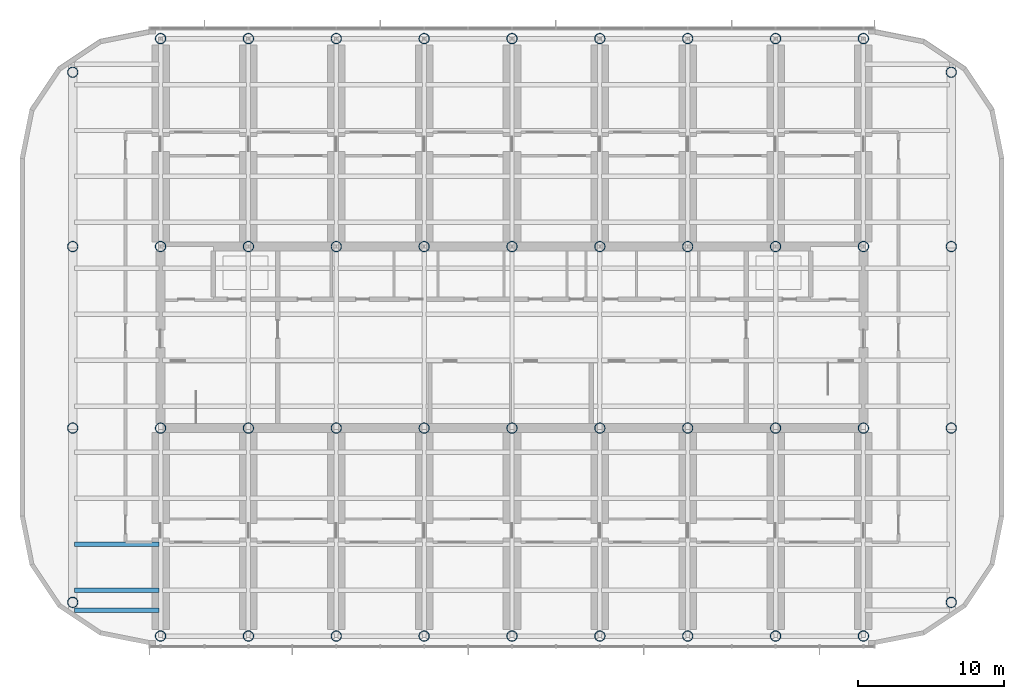
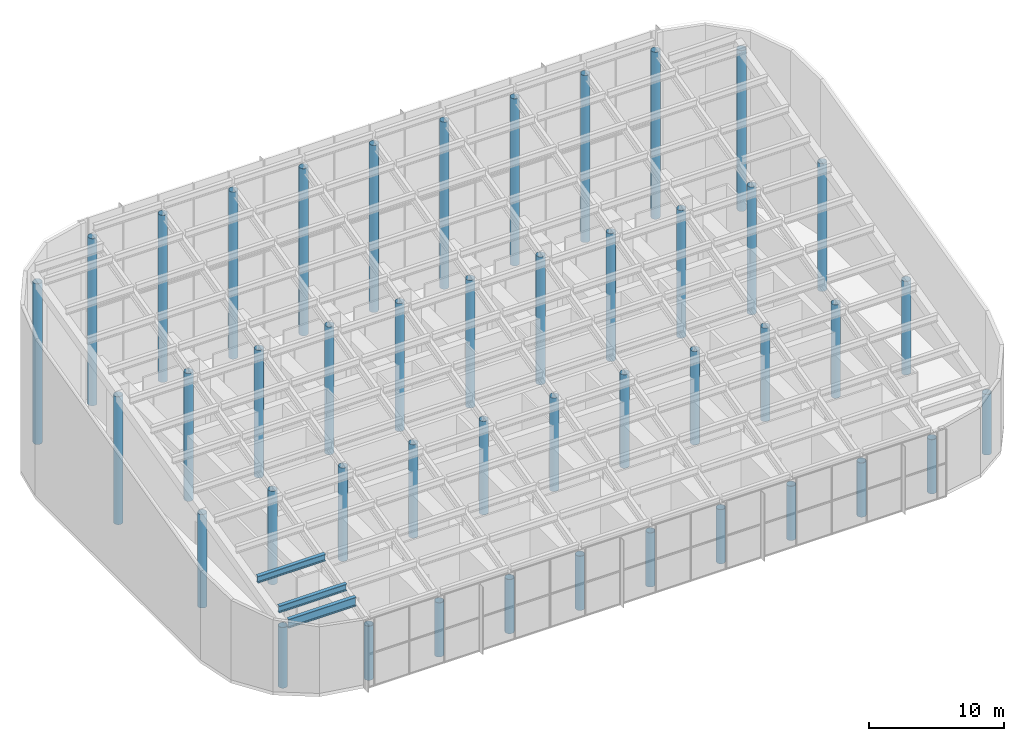
# One storey, part 1 of 14: 44 columns, 3 members.
"""IFC4 building model written with IfcOpenShell, lengths in metres."""

import ifcopenshell
import ifcopenshell.guid

model = None  # the IFC model being written
_history = None  # IfcOwnerHistory: only IFC2X3 demands one
_inside = {}  # id of a spatial element -> (the spatial element, [elements in it])
_under = {}  # id of a project, library or spatial element -> (it, [spatial elements below it])
_declared = {}  # id of a project -> (the project, [libraries it declares])
_typed = {}  # id of a type object -> (the type object, [elements of that type])
_made_of = {}  # id of a material, layer set ... -> (it, [elements and type objects made of it])


def new_model(schema):
    """Start an empty IFC model of exactly this schema.

    Asked for "IFC4X3", IfcOpenShell would pick the latest addendum, in which some entities
    have other attributes; the version numbers below select the first issue.
    IFC2X3 requires an IfcOwnerHistory on every rooted entity: one is made here for all.
    """
    global model, _history
    if schema == "IFC4X3":
        model = ifcopenshell.file(schema_version=(4, 3, 0, 0))
    else:
        model = ifcopenshell.file(schema=schema)
    _inside.clear()
    _under.clear()
    _declared.clear()
    _typed.clear()
    _made_of.clear()
    _history = None
    if model.schema == "IFC2X3":
        org = make("IfcOrganization", Name="unknown")
        user = make(
            "IfcPersonAndOrganization",
            ThePerson=make("IfcPerson", FamilyName="unknown"),
            TheOrganization=org,
        )
        app = make(
            "IfcApplication",
            ApplicationDeveloper=org,
            Version="unknown",
            ApplicationFullName="unknown",
            ApplicationIdentifier="unknown",
        )
        _history = make(
            "IfcOwnerHistory",
            OwningUser=user,
            OwningApplication=app,
            ChangeAction="ADDED",
            CreationDate=0,
        )
    return model


def make(cls, **values):
    """One entity of the class cls with the attributes given. An attribute that is None is left unset."""
    return model.create_entity(
        cls, **{name: value for name, value in values.items() if value is not None}
    )


def rooted(cls, **values):
    """An entity with a GlobalId (a new one), such as an element, a storey or a relation."""
    return make(cls, GlobalId=ifcopenshell.guid.new(), OwnerHistory=_history, **values)


def si_unit(unit_type, name, prefix=None):
    """IfcSIUnit, for example si_unit("LENGTHUNIT", "METRE", prefix="MILLI")."""
    return make("IfcSIUnit", UnitType=unit_type, Prefix=prefix, Name=name)


def assignment(units):
    """IfcUnitAssignment: the units of a project."""
    return None if units is None else make("IfcUnitAssignment", Units=units)


def point(xyz):
    """IfcCartesianPoint."""
    return None if xyz is None else make("IfcCartesianPoint", Coordinates=xyz)


def direction(xyz):
    """IfcDirection."""
    return None if xyz is None else make("IfcDirection", DirectionRatios=xyz)


def frame(location, z_axis=None, x_axis=None):
    """IfcAxis2Placement3D, a coordinate frame: its origin and axes. An axis left out is left unset."""
    return make(
        "IfcAxis2Placement3D",
        Location=point(location),
        Axis=direction(z_axis),
        RefDirection=direction(x_axis),
    )


def frame_2d(location, x_axis=None):
    """IfcAxis2Placement2D, a coordinate frame in the plane: its origin and x axis."""
    return make(
        "IfcAxis2Placement2D", Location=point(location), RefDirection=direction(x_axis)
    )


def origin():
    """The frame at (0, 0, 0) with its axes left unset."""
    return frame((0.0, 0.0, 0.0))


def origin_2d():
    """The frame at (0, 0) in the plane with its x axis left unset."""
    return frame_2d((0.0, 0.0))


def place(relative_to, where):
    """IfcLocalPlacement: puts the frame where relative to a parent placement (None: the world)."""
    return make(
        "IfcLocalPlacement", PlacementRelTo=relative_to, RelativePlacement=where
    )


def context(
    kind, dimensions, precision=None, world=None, true_north=None, identifier=None
):
    """IfcGeometricRepresentationContext, for example the 3D "Model" context."""
    return make(
        "IfcGeometricRepresentationContext",
        ContextIdentifier=identifier,
        ContextType=kind,
        CoordinateSpaceDimension=dimensions,
        Precision=precision,
        WorldCoordinateSystem=world,
        TrueNorth=true_north,
    )


def subcontext(parent, identifier, kind, view, scale=None):
    """IfcGeometricRepresentationSubContext, for example "Body" below "Model"."""
    return make(
        "IfcGeometricRepresentationSubContext",
        ContextIdentifier=identifier,
        ContextType=kind,
        ParentContext=parent,
        TargetScale=scale,
        TargetView=view,
    )


def project(units=None, contexts=None):
    """IfcProject with its units and contexts."""
    return rooted(
        "IfcProject",
        Name="project",
        RepresentationContexts=contexts,
        UnitsInContext=assignment(units),
    )


def spatial(cls, under=None, at=None, **own):
    """A site, building, storey or space (cls), placed at a placement, below another one or the project."""
    s = rooted(cls, ObjectPlacement=at, **own)
    if under is not None:
        _under.setdefault(under.id(), (under, []))[1].append(s)
    return s


def profile(cls, at=None, kind="AREA", **sizes):
    """A parametric profile (cls). Its sizes go by their IFC names, for example OverallWidth=200.0."""
    return make(cls, ProfileType=kind, Position=at, **sizes)


def hollow_circle(**sizes):
    """IfcCircleHollowProfileDef."""
    return profile("IfcCircleHollowProfileDef", **sizes)


def i_section(**sizes):
    """IfcIShapeProfileDef."""
    return profile("IfcIShapeProfileDef", **sizes)


def extrude(swept, where, along, depth):
    """IfcExtrudedAreaSolid: the profile swept, set in the frame where, extruded along a direction by depth."""
    return make(
        "IfcExtrudedAreaSolid",
        SweptArea=swept,
        Position=where,
        ExtrudedDirection=direction(along),
        Depth=depth,
    )


def shape(context_of_items, identifier, shape_type, items):
    """IfcShapeRepresentation: the items that make up one representation, for example the "Body"."""
    return make(
        "IfcShapeRepresentation",
        ContextOfItems=context_of_items,
        RepresentationIdentifier=identifier,
        RepresentationType=shape_type,
        Items=items,
    )


def material(Name=None, Category=None):
    """IfcMaterial."""
    return make("IfcMaterial", Name=Name, Category=Category)


def material_profile(
    of_material, cross_section, Name=None, Category=None, Priority=None
):
    """IfcMaterialProfile: a cross section and its material."""
    return make(
        "IfcMaterialProfile",
        Name=Name,
        Material=of_material,
        Profile=cross_section,
        Priority=Priority,
        Category=Category,
    )


def profile_set(profiles, Name=None, composite=None):
    """IfcMaterialProfileSet."""
    return make(
        "IfcMaterialProfileSet",
        Name=Name,
        MaterialProfiles=profiles,
        CompositeProfile=composite,
    )


def made_of(thing, what):
    """Note that an element or type object is made of a material, layer set ...; save() writes the relation."""
    if what is not None:
        _made_of.setdefault(what.id(), (what, []))[1].append(thing)
    return thing


def type_object(cls, material=None, **own):
    """A type object (cls), such as IfcWallType, which elements share."""
    return made_of(rooted(cls, **own), material)


def element(
    cls,
    number,
    at=None,
    inside=None,
    cuts=None,
    type_object=None,
    material=None,
    context=None,
    identifier="Body",
    shape_type=None,
    held_by="IfcProductDefinitionShape",
    body=None,
    shapes=None,
    **own,
):
    """One element of the class cls, such as IfcWall. Its Tag is "e" and its number.

    at: its placement. inside: the storey or other place that contains it. cuts: it is an
    opening in that element (IfcRelVoidsElement). A single representation is given by context,
    identifier, shape_type and body (its items); several are given by shapes. held_by: the class
    of the entity that holds the representations. save() writes the other relations.
    """
    e = rooted(cls, Tag="e%d" % number, ObjectPlacement=at, **own)
    if body is not None:
        shapes = [shape(context, identifier, shape_type, body)]
    if shapes is not None:
        e.Representation = make(held_by, Representations=shapes)
    if inside is not None:
        _inside.setdefault(inside.id(), (inside, []))[1].append(e)
    if cuts is not None:
        rooted(
            "IfcRelVoidsElement", RelatingBuildingElement=cuts, RelatedOpeningElement=e
        )
    if type_object is not None:
        _typed.setdefault(type_object.id(), (type_object, []))[1].append(e)
    return made_of(e, material)


def aggregate(whole, parts):
    """IfcRelAggregates: a whole, such as a stair, and the parts it consists of."""
    return rooted("IfcRelAggregates", RelatingObject=whole, RelatedObjects=parts)


def save(model, path):
    """Write the relations noted so far, then the file.

    IfcRelAggregates (storeys below a building ...), IfcRelContainedInSpatialStructure (elements
    in a storey), IfcRelDefinesByType, IfcRelAssociatesMaterial and IfcRelDeclares: one each for
    every whole, place, type object, material and project.
    """
    for whole, parts in _under.values():
        aggregate(whole, parts)
    for where, things in _inside.values():
        rooted(
            "IfcRelContainedInSpatialStructure",
            RelatedElements=things,
            RelatingStructure=where,
        )
    for kind, things in _typed.values():
        rooted("IfcRelDefinesByType", RelatedObjects=things, RelatingType=kind)
    for what, things in _made_of.values():
        rooted("IfcRelAssociatesMaterial", RelatedObjects=things, RelatingMaterial=what)
    for by, libraries in _declared.values():
        rooted("IfcRelDeclares", RelatingContext=by, RelatedDefinitions=libraries)
    model.write(path)


model = new_model("IFC4")

# Units and contexts
model_context = context("Model", 3, precision=1e-05, world=origin(), true_north=direction((0.0, 1.0)))
body_context = subcontext(model_context, "Body", "Model", "MODEL_VIEW")
ifc_project = project(units=[si_unit("LENGTHUNIT", "METRE"), si_unit("AREAUNIT", "SQUARE_METRE"), si_unit("VOLUMEUNIT", "CUBIC_METRE"), si_unit("PLANEANGLEUNIT", "RADIAN"), si_unit("MASSUNIT", "GRAM", prefix="KILO")], contexts=[model_context])

# Site, building, storey
site_placement = place(None, origin())
site = spatial("IfcSite", under=ifc_project, at=site_placement, CompositionType="ELEMENT")
building_placement = place(site_placement, origin())
building = spatial("IfcBuilding", under=site, at=building_placement, Name="Orbita Commons", CompositionType="ELEMENT")
storey_placement = place(building_placement, frame((0.0, 0.0, 262.300048828125)))
storey = spatial("IfcBuildingStorey", under=building, at=storey_placement, Name="L65", CompositionType="ELEMENT", Elevation=262.300048828125)

# Columns
ifc_material_1 = material(Name="Steel ASTM A992", Category="steel")
ifc_material_profile_1 = material_profile(ifc_material_1, hollow_circle(Radius=0.35546875, WallThickness=0.02490234375, at=origin_2d()), Name="CHS 711x25")
ifc_profile_set_1 = profile_set([ifc_material_profile_1], Name="Steel ASTM A992")
column_type = type_object("IfcColumnType", Name="Crown post CHS 711x25", PredefinedType="COLUMN", material=ifc_profile_set_1)
column_1_placement = place(storey_placement, frame((12.0, 13.89990234375, 0.0), z_axis=(0.0, 0.0, 1.0), x_axis=(1.0, 0.0, 0.0)))
element("IfcColumn", 1, at=column_1_placement, inside=storey, type_object=column_type, Name="Crown post 3/B", PredefinedType="COLUMN", context=body_context, shape_type="SweptSolid", body=[
    extrude(hollow_circle(Radius=0.35546875, WallThickness=0.02490234375, at=origin_2d()), origin(), (0.0, 0.0, 1.0), 5.465576171875),
])
column_2_placement = place(storey_placement, frame((12.0, 25.800048828125, 0.0), z_axis=(0.0, 0.0, 1.0), x_axis=(1.0, 0.0, 0.0)))
element("IfcColumn", 2, at=column_2_placement, inside=storey, type_object=column_type, Name="Crown post 3/C", PredefinedType="COLUMN", context=body_context, shape_type="SweptSolid", body=[
    extrude(hollow_circle(Radius=0.35546875, WallThickness=0.02490234375, at=origin_2d()), origin(), (0.0, 0.0, 1.0), 8.4326171875),
])
column_3_placement = place(storey_placement, frame((12.0, 38.199951171875, 0.0), z_axis=(0.0, 0.0, 1.0), x_axis=(1.0, 0.0, 0.0)))
element("IfcColumn", 3, at=column_3_placement, inside=storey, type_object=column_type, Name="Crown post 3/D", PredefinedType="COLUMN", context=body_context, shape_type="SweptSolid", body=[
    extrude(hollow_circle(Radius=0.35546875, WallThickness=0.02490234375, at=origin_2d()), origin(), (0.0, 0.0, 1.0), 11.5244140625),
])
column_4_placement = place(storey_placement, frame((12.0, 50.10009765625, 0.0), z_axis=(0.0, 0.0, 1.0), x_axis=(1.0, 0.0, 0.0)))
element("IfcColumn", 4, at=column_4_placement, inside=storey, type_object=column_type, Name="Crown post 3/E", PredefinedType="COLUMN", context=body_context, shape_type="SweptSolid", body=[
    extrude(hollow_circle(Radius=0.35546875, WallThickness=0.02490234375, at=origin_2d()), origin(), (0.0, 0.0, 1.0), 14.4912109375),
])
column_5_placement = place(storey_placement, frame((18.0, 11.60009765625, 0.0), z_axis=(0.0, 0.0, 1.0), x_axis=(1.0, 0.0, 0.0)))
element("IfcColumn", 5, at=column_5_placement, inside=storey, type_object=column_type, Name="Crown post 4/B", PredefinedType="COLUMN", context=body_context, shape_type="SweptSolid", body=[
    extrude(hollow_circle(Radius=0.35546875, WallThickness=0.02490234375, at=origin_2d()), origin(), (0.0, 0.0, 1.0), 4.885009765625),
])
column_6_placement = place(storey_placement, frame((18.0, 25.800048828125, 0.0), z_axis=(0.0, 0.0, 1.0), x_axis=(1.0, 0.0, 0.0)))
element("IfcColumn", 6, at=column_6_placement, inside=storey, type_object=column_type, Name="Crown post 4/C", PredefinedType="COLUMN", context=body_context, shape_type="SweptSolid", body=[
    extrude(hollow_circle(Radius=0.35546875, WallThickness=0.02490234375, at=origin_2d()), origin(), (0.0, 0.0, 1.0), 8.425537109375),
])
column_7_placement = place(storey_placement, frame((18.0, 38.199951171875, 0.0), z_axis=(0.0, 0.0, 1.0), x_axis=(1.0, 0.0, 0.0)))
element("IfcColumn", 7, at=column_7_placement, inside=storey, type_object=column_type, Name="Crown post 4/D", PredefinedType="COLUMN", context=body_context, shape_type="SweptSolid", body=[
    extrude(hollow_circle(Radius=0.35546875, WallThickness=0.02490234375, at=origin_2d()), origin(), (0.0, 0.0, 1.0), 11.51708984375),
])
column_8_placement = place(storey_placement, frame((18.0, 52.39990234375, 0.0), z_axis=(0.0, 0.0, 1.0), x_axis=(1.0, 0.0, 0.0)))
element("IfcColumn", 8, at=column_8_placement, inside=storey, type_object=column_type, Name="Crown post 4/E", PredefinedType="COLUMN", context=body_context, shape_type="SweptSolid", body=[
    extrude(hollow_circle(Radius=0.35546875, WallThickness=0.02490234375, at=origin_2d()), origin(), (0.0, 0.0, 1.0), 15.0576171875),
])
column_9_placement = place(storey_placement, frame((24.0, 11.60009765625, 0.0), z_axis=(0.0, 0.0, 1.0), x_axis=(1.0, 0.0, 0.0)))
element("IfcColumn", 9, at=column_9_placement, inside=storey, type_object=column_type, Name="Crown post 5/B", PredefinedType="COLUMN", context=body_context, shape_type="SweptSolid", body=[
    extrude(hollow_circle(Radius=0.35546875, WallThickness=0.02490234375, at=origin_2d()), origin(), (0.0, 0.0, 1.0), 4.885009765625),
])
column_10_placement = place(storey_placement, frame((24.0, 25.800048828125, 0.0), z_axis=(0.0, 0.0, 1.0), x_axis=(1.0, 0.0, 0.0)))
element("IfcColumn", 10, at=column_10_placement, inside=storey, type_object=column_type, Name="Crown post 5/C", PredefinedType="COLUMN", context=body_context, shape_type="SweptSolid", body=[
    extrude(hollow_circle(Radius=0.35546875, WallThickness=0.02490234375, at=origin_2d()), origin(), (0.0, 0.0, 1.0), 8.425537109375),
])
column_11_placement = place(storey_placement, frame((24.0, 38.199951171875, 0.0), z_axis=(0.0, 0.0, 1.0), x_axis=(1.0, 0.0, 0.0)))
element("IfcColumn", 11, at=column_11_placement, inside=storey, type_object=column_type, Name="Crown post 5/D", PredefinedType="COLUMN", context=body_context, shape_type="SweptSolid", body=[
    extrude(hollow_circle(Radius=0.35546875, WallThickness=0.02490234375, at=origin_2d()), origin(), (0.0, 0.0, 1.0), 11.51708984375),
])
column_12_placement = place(storey_placement, frame((24.0, 52.39990234375, 0.0), z_axis=(0.0, 0.0, 1.0), x_axis=(1.0, 0.0, 0.0)))
element("IfcColumn", 12, at=column_12_placement, inside=storey, type_object=column_type, Name="Crown post 5/E", PredefinedType="COLUMN", context=body_context, shape_type="SweptSolid", body=[
    extrude(hollow_circle(Radius=0.35546875, WallThickness=0.02490234375, at=origin_2d()), origin(), (0.0, 0.0, 1.0), 15.0576171875),
])
column_13_placement = place(storey_placement, frame((30.0, 11.60009765625, 0.0), z_axis=(0.0, 0.0, 1.0), x_axis=(1.0, 0.0, 0.0)))
element("IfcColumn", 13, at=column_13_placement, inside=storey, type_object=column_type, Name="Crown post 6/B", PredefinedType="COLUMN", context=body_context, shape_type="SweptSolid", body=[
    extrude(hollow_circle(Radius=0.35546875, WallThickness=0.02490234375, at=origin_2d()), origin(), (0.0, 0.0, 1.0), 4.885009765625),
])
column_14_placement = place(storey_placement, frame((30.0, 25.800048828125, 0.0), z_axis=(0.0, 0.0, 1.0), x_axis=(1.0, 0.0, 0.0)))
element("IfcColumn", 14, at=column_14_placement, inside=storey, type_object=column_type, Name="Crown post 6/C", PredefinedType="COLUMN", context=body_context, shape_type="SweptSolid", body=[
    extrude(hollow_circle(Radius=0.35546875, WallThickness=0.02490234375, at=origin_2d()), origin(), (0.0, 0.0, 1.0), 8.425537109375),
])
column_15_placement = place(storey_placement, frame((30.0, 38.199951171875, 0.0), z_axis=(0.0, 0.0, 1.0), x_axis=(1.0, 0.0, 0.0)))
element("IfcColumn", 15, at=column_15_placement, inside=storey, type_object=column_type, Name="Crown post 6/D", PredefinedType="COLUMN", context=body_context, shape_type="SweptSolid", body=[
    extrude(hollow_circle(Radius=0.35546875, WallThickness=0.02490234375, at=origin_2d()), origin(), (0.0, 0.0, 1.0), 11.51708984375),
])
column_16_placement = place(storey_placement, frame((30.0, 52.39990234375, 0.0), z_axis=(0.0, 0.0, 1.0), x_axis=(1.0, 0.0, 0.0)))
element("IfcColumn", 16, at=column_16_placement, inside=storey, type_object=column_type, Name="Crown post 6/E", PredefinedType="COLUMN", context=body_context, shape_type="SweptSolid", body=[
    extrude(hollow_circle(Radius=0.35546875, WallThickness=0.02490234375, at=origin_2d()), origin(), (0.0, 0.0, 1.0), 15.0576171875),
])
column_17_placement = place(storey_placement, frame((36.0, 11.60009765625, 0.0), z_axis=(0.0, 0.0, 1.0), x_axis=(1.0, 0.0, 0.0)))
element("IfcColumn", 17, at=column_17_placement, inside=storey, type_object=column_type, Name="Crown post 7/B", PredefinedType="COLUMN", context=body_context, shape_type="SweptSolid", body=[
    extrude(hollow_circle(Radius=0.35546875, WallThickness=0.02490234375, at=origin_2d()), origin(), (0.0, 0.0, 1.0), 4.885009765625),
])
column_18_placement = place(storey_placement, frame((36.0, 25.800048828125, 0.0), z_axis=(0.0, 0.0, 1.0), x_axis=(1.0, 0.0, 0.0)))
element("IfcColumn", 18, at=column_18_placement, inside=storey, type_object=column_type, Name="Crown post 7/C", PredefinedType="COLUMN", context=body_context, shape_type="SweptSolid", body=[
    extrude(hollow_circle(Radius=0.35546875, WallThickness=0.02490234375, at=origin_2d()), origin(), (0.0, 0.0, 1.0), 8.425537109375),
])
column_19_placement = place(storey_placement, frame((36.0, 38.199951171875, 0.0), z_axis=(0.0, 0.0, 1.0), x_axis=(1.0, 0.0, 0.0)))
element("IfcColumn", 19, at=column_19_placement, inside=storey, type_object=column_type, Name="Crown post 7/D", PredefinedType="COLUMN", context=body_context, shape_type="SweptSolid", body=[
    extrude(hollow_circle(Radius=0.35546875, WallThickness=0.02490234375, at=origin_2d()), origin(), (0.0, 0.0, 1.0), 11.51708984375),
])
column_20_placement = place(storey_placement, frame((36.0, 52.39990234375, 0.0), z_axis=(0.0, 0.0, 1.0), x_axis=(1.0, 0.0, 0.0)))
element("IfcColumn", 20, at=column_20_placement, inside=storey, type_object=column_type, Name="Crown post 7/E", PredefinedType="COLUMN", context=body_context, shape_type="SweptSolid", body=[
    extrude(hollow_circle(Radius=0.35546875, WallThickness=0.02490234375, at=origin_2d()), origin(), (0.0, 0.0, 1.0), 15.0576171875),
])
column_21_placement = place(storey_placement, frame((42.0, 11.60009765625, 0.0), z_axis=(0.0, 0.0, 1.0), x_axis=(1.0, 0.0, 0.0)))
element("IfcColumn", 21, at=column_21_placement, inside=storey, type_object=column_type, Name="Crown post 8/B", PredefinedType="COLUMN", context=body_context, shape_type="SweptSolid", body=[
    extrude(hollow_circle(Radius=0.35546875, WallThickness=0.02490234375, at=origin_2d()), origin(), (0.0, 0.0, 1.0), 4.885009765625),
])
column_22_placement = place(storey_placement, frame((42.0, 25.800048828125, 0.0), z_axis=(0.0, 0.0, 1.0), x_axis=(1.0, 0.0, 0.0)))
element("IfcColumn", 22, at=column_22_placement, inside=storey, type_object=column_type, Name="Crown post 8/C", PredefinedType="COLUMN", context=body_context, shape_type="SweptSolid", body=[
    extrude(hollow_circle(Radius=0.35546875, WallThickness=0.02490234375, at=origin_2d()), origin(), (0.0, 0.0, 1.0), 8.425537109375),
])
column_23_placement = place(storey_placement, frame((42.0, 38.199951171875, 0.0), z_axis=(0.0, 0.0, 1.0), x_axis=(1.0, 0.0, 0.0)))
element("IfcColumn", 23, at=column_23_placement, inside=storey, type_object=column_type, Name="Crown post 8/D", PredefinedType="COLUMN", context=body_context, shape_type="SweptSolid", body=[
    extrude(hollow_circle(Radius=0.35546875, WallThickness=0.02490234375, at=origin_2d()), origin(), (0.0, 0.0, 1.0), 11.51708984375),
])
column_24_placement = place(storey_placement, frame((42.0, 52.39990234375, 0.0), z_axis=(0.0, 0.0, 1.0), x_axis=(1.0, 0.0, 0.0)))
element("IfcColumn", 24, at=column_24_placement, inside=storey, type_object=column_type, Name="Crown post 8/E", PredefinedType="COLUMN", context=body_context, shape_type="SweptSolid", body=[
    extrude(hollow_circle(Radius=0.35546875, WallThickness=0.02490234375, at=origin_2d()), origin(), (0.0, 0.0, 1.0), 15.0576171875),
])
column_25_placement = place(storey_placement, frame((48.0, 11.60009765625, 0.0), z_axis=(0.0, 0.0, 1.0), x_axis=(1.0, 0.0, 0.0)))
element("IfcColumn", 25, at=column_25_placement, inside=storey, type_object=column_type, Name="Crown post 9/B", PredefinedType="COLUMN", context=body_context, shape_type="SweptSolid", body=[
    extrude(hollow_circle(Radius=0.35546875, WallThickness=0.02490234375, at=origin_2d()), origin(), (0.0, 0.0, 1.0), 4.885009765625),
])
column_26_placement = place(storey_placement, frame((48.0, 25.800048828125, 0.0), z_axis=(0.0, 0.0, 1.0), x_axis=(1.0, 0.0, 0.0)))
element("IfcColumn", 26, at=column_26_placement, inside=storey, type_object=column_type, Name="Crown post 9/C", PredefinedType="COLUMN", context=body_context, shape_type="SweptSolid", body=[
    extrude(hollow_circle(Radius=0.35546875, WallThickness=0.02490234375, at=origin_2d()), origin(), (0.0, 0.0, 1.0), 8.425537109375),
])
column_27_placement = place(storey_placement, frame((48.0, 38.199951171875, 0.0), z_axis=(0.0, 0.0, 1.0), x_axis=(1.0, 0.0, 0.0)))
element("IfcColumn", 27, at=column_27_placement, inside=storey, type_object=column_type, Name="Crown post 9/D", PredefinedType="COLUMN", context=body_context, shape_type="SweptSolid", body=[
    extrude(hollow_circle(Radius=0.35546875, WallThickness=0.02490234375, at=origin_2d()), origin(), (0.0, 0.0, 1.0), 11.51708984375),
])
column_28_placement = place(storey_placement, frame((48.0, 52.39990234375, 0.0), z_axis=(0.0, 0.0, 1.0), x_axis=(1.0, 0.0, 0.0)))
element("IfcColumn", 28, at=column_28_placement, inside=storey, type_object=column_type, Name="Crown post 9/E", PredefinedType="COLUMN", context=body_context, shape_type="SweptSolid", body=[
    extrude(hollow_circle(Radius=0.35546875, WallThickness=0.02490234375, at=origin_2d()), origin(), (0.0, 0.0, 1.0), 15.0576171875),
])
column_29_placement = place(storey_placement, frame((54.0, 11.60009765625, 0.0), z_axis=(0.0, 0.0, 1.0), x_axis=(1.0, 0.0, 0.0)))
element("IfcColumn", 29, at=column_29_placement, inside=storey, type_object=column_type, Name="Crown post 10/B", PredefinedType="COLUMN", context=body_context, shape_type="SweptSolid", body=[
    extrude(hollow_circle(Radius=0.35546875, WallThickness=0.02490234375, at=origin_2d()), origin(), (0.0, 0.0, 1.0), 4.885009765625),
])
column_30_placement = place(storey_placement, frame((54.0, 25.800048828125, 0.0), z_axis=(0.0, 0.0, 1.0), x_axis=(1.0, 0.0, 0.0)))
element("IfcColumn", 30, at=column_30_placement, inside=storey, type_object=column_type, Name="Crown post 10/C", PredefinedType="COLUMN", context=body_context, shape_type="SweptSolid", body=[
    extrude(hollow_circle(Radius=0.35546875, WallThickness=0.02490234375, at=origin_2d()), origin(), (0.0, 0.0, 1.0), 8.425537109375),
])
column_31_placement = place(storey_placement, frame((54.0, 38.199951171875, 0.0), z_axis=(0.0, 0.0, 1.0), x_axis=(1.0, 0.0, 0.0)))
element("IfcColumn", 31, at=column_31_placement, inside=storey, type_object=column_type, Name="Crown post 10/D", PredefinedType="COLUMN", context=body_context, shape_type="SweptSolid", body=[
    extrude(hollow_circle(Radius=0.35546875, WallThickness=0.02490234375, at=origin_2d()), origin(), (0.0, 0.0, 1.0), 11.51708984375),
])
column_32_placement = place(storey_placement, frame((54.0, 52.39990234375, 0.0), z_axis=(0.0, 0.0, 1.0), x_axis=(1.0, 0.0, 0.0)))
element("IfcColumn", 32, at=column_32_placement, inside=storey, type_object=column_type, Name="Crown post 10/E", PredefinedType="COLUMN", context=body_context, shape_type="SweptSolid", body=[
    extrude(hollow_circle(Radius=0.35546875, WallThickness=0.02490234375, at=origin_2d()), origin(), (0.0, 0.0, 1.0), 15.0576171875),
])
column_33_placement = place(storey_placement, frame((60.0, 11.60009765625, 0.0), z_axis=(0.0, 0.0, 1.0), x_axis=(1.0, 0.0, 0.0)))
element("IfcColumn", 33, at=column_33_placement, inside=storey, type_object=column_type, Name="Crown post 11/B", PredefinedType="COLUMN", context=body_context, shape_type="SweptSolid", body=[
    extrude(hollow_circle(Radius=0.35546875, WallThickness=0.02490234375, at=origin_2d()), origin(), (0.0, 0.0, 1.0), 4.885009765625),
])
column_34_placement = place(storey_placement, frame((60.0, 25.800048828125, 0.0), z_axis=(0.0, 0.0, 1.0), x_axis=(1.0, 0.0, 0.0)))
element("IfcColumn", 34, at=column_34_placement, inside=storey, type_object=column_type, Name="Crown post 11/C", PredefinedType="COLUMN", context=body_context, shape_type="SweptSolid", body=[
    extrude(hollow_circle(Radius=0.35546875, WallThickness=0.02490234375, at=origin_2d()), origin(), (0.0, 0.0, 1.0), 8.425537109375),
])
column_35_placement = place(storey_placement, frame((60.0, 38.199951171875, 0.0), z_axis=(0.0, 0.0, 1.0), x_axis=(1.0, 0.0, 0.0)))
element("IfcColumn", 35, at=column_35_placement, inside=storey, type_object=column_type, Name="Crown post 11/D", PredefinedType="COLUMN", context=body_context, shape_type="SweptSolid", body=[
    extrude(hollow_circle(Radius=0.35546875, WallThickness=0.02490234375, at=origin_2d()), origin(), (0.0, 0.0, 1.0), 11.51708984375),
])
column_36_placement = place(storey_placement, frame((60.0, 52.39990234375, 0.0), z_axis=(0.0, 0.0, 1.0), x_axis=(1.0, 0.0, 0.0)))
element("IfcColumn", 36, at=column_36_placement, inside=storey, type_object=column_type, Name="Crown post 11/E", PredefinedType="COLUMN", context=body_context, shape_type="SweptSolid", body=[
    extrude(hollow_circle(Radius=0.35546875, WallThickness=0.02490234375, at=origin_2d()), origin(), (0.0, 0.0, 1.0), 15.0576171875),
])
column_37_placement = place(storey_placement, frame((66.0, 11.60009765625, 0.0), z_axis=(0.0, 0.0, 1.0), x_axis=(1.0, 0.0, 0.0)))
element("IfcColumn", 37, at=column_37_placement, inside=storey, type_object=column_type, Name="Crown post 12/B", PredefinedType="COLUMN", context=body_context, shape_type="SweptSolid", body=[
    extrude(hollow_circle(Radius=0.35546875, WallThickness=0.02490234375, at=origin_2d()), origin(), (0.0, 0.0, 1.0), 4.885009765625),
])
column_38_placement = place(storey_placement, frame((66.0, 25.800048828125, 0.0), z_axis=(0.0, 0.0, 1.0), x_axis=(1.0, 0.0, 0.0)))
element("IfcColumn", 38, at=column_38_placement, inside=storey, type_object=column_type, Name="Crown post 12/C", PredefinedType="COLUMN", context=body_context, shape_type="SweptSolid", body=[
    extrude(hollow_circle(Radius=0.35546875, WallThickness=0.02490234375, at=origin_2d()), origin(), (0.0, 0.0, 1.0), 8.425537109375),
])
column_39_placement = place(storey_placement, frame((66.0, 38.199951171875, 0.0), z_axis=(0.0, 0.0, 1.0), x_axis=(1.0, 0.0, 0.0)))
element("IfcColumn", 39, at=column_39_placement, inside=storey, type_object=column_type, Name="Crown post 12/D", PredefinedType="COLUMN", context=body_context, shape_type="SweptSolid", body=[
    extrude(hollow_circle(Radius=0.35546875, WallThickness=0.02490234375, at=origin_2d()), origin(), (0.0, 0.0, 1.0), 11.51708984375),
])
column_40_placement = place(storey_placement, frame((66.0, 52.39990234375, 0.0), z_axis=(0.0, 0.0, 1.0), x_axis=(1.0, 0.0, 0.0)))
element("IfcColumn", 40, at=column_40_placement, inside=storey, type_object=column_type, Name="Crown post 12/E", PredefinedType="COLUMN", context=body_context, shape_type="SweptSolid", body=[
    extrude(hollow_circle(Radius=0.35546875, WallThickness=0.02490234375, at=origin_2d()), origin(), (0.0, 0.0, 1.0), 15.0576171875),
])
column_41_placement = place(storey_placement, frame((72.0, 13.89990234375, 0.0), z_axis=(0.0, 0.0, 1.0), x_axis=(1.0, 0.0, 0.0)))
element("IfcColumn", 41, at=column_41_placement, inside=storey, type_object=column_type, Name="Crown post 13/B", PredefinedType="COLUMN", context=body_context, shape_type="SweptSolid", body=[
    extrude(hollow_circle(Radius=0.35546875, WallThickness=0.02490234375, at=origin_2d()), origin(), (0.0, 0.0, 1.0), 5.465576171875),
])
column_42_placement = place(storey_placement, frame((72.0, 25.800048828125, 0.0), z_axis=(0.0, 0.0, 1.0), x_axis=(1.0, 0.0, 0.0)))
element("IfcColumn", 42, at=column_42_placement, inside=storey, type_object=column_type, Name="Crown post 13/C", PredefinedType="COLUMN", context=body_context, shape_type="SweptSolid", body=[
    extrude(hollow_circle(Radius=0.35546875, WallThickness=0.02490234375, at=origin_2d()), origin(), (0.0, 0.0, 1.0), 8.4326171875),
])
column_43_placement = place(storey_placement, frame((72.0, 38.199951171875, 0.0), z_axis=(0.0, 0.0, 1.0), x_axis=(1.0, 0.0, 0.0)))
element("IfcColumn", 43, at=column_43_placement, inside=storey, type_object=column_type, Name="Crown post 13/D", PredefinedType="COLUMN", context=body_context, shape_type="SweptSolid", body=[
    extrude(hollow_circle(Radius=0.35546875, WallThickness=0.02490234375, at=origin_2d()), origin(), (0.0, 0.0, 1.0), 11.5244140625),
])
column_44_placement = place(storey_placement, frame((72.0, 50.10009765625, 0.0), z_axis=(0.0, 0.0, 1.0), x_axis=(1.0, 0.0, 0.0)))
element("IfcColumn", 44, at=column_44_placement, inside=storey, type_object=column_type, Name="Crown post 13/E", PredefinedType="COLUMN", context=body_context, shape_type="SweptSolid", body=[
    extrude(hollow_circle(Radius=0.35546875, WallThickness=0.02490234375, at=origin_2d()), origin(), (0.0, 0.0, 1.0), 14.4912109375),
])

# Members
ifc_material_2 = material(Name="Steel ASTM A992", Category="steel")
ifc_material_profile_2 = material_profile(ifc_material_2, i_section(OverallWidth=0.304931640625, OverallDepth=0.6201171875, WebThickness=0.02099609375, FlangeThickness=0.0400390625, FilletRadius=0.027099609375, at=origin_2d()), Name="HEM 600")
ifc_profile_set_2 = profile_set([ifc_material_profile_2], Name="Steel ASTM A992")
member_type_1 = type_object("IfcMemberType", Name="Crown purlin HEM 600", PredefinedType="PURLIN", material=ifc_profile_set_2)
for number, where, z_axis, x_axis, name in (
    (45, (12.1201171875, 14.738525390625, 6.3779296875), (1.0, 0.0, 0.0), (0.0, 1.0, 0.0), "Crown purlin 2 3-4"),
    (46, (12.1201171875, 17.876953125, 7.160400390625), (1.0, 0.0, 0.0), (0.0, 1.0, 0.0), "Crown purlin 3 3-4"),
):
    element("IfcMember", number, at=place(storey_placement, frame(where, z_axis=z_axis, x_axis=x_axis)), inside=storey, type_object=member_type_1, Name=name, PredefinedType="PURLIN", context=body_context, shape_type="SweptSolid", body=[
        extrude(i_section(OverallWidth=0.304931640625, OverallDepth=0.6201171875, WebThickness=0.02099609375, FlangeThickness=0.0400390625, FilletRadius=0.027099609375, at=origin_2d()), origin(), (0.0, 0.0, 1.0), 5.759765625),
    ])
ifc_material_3 = material(Name="Steel ASTM A992", Category="steel")
ifc_material_profile_3 = material_profile(ifc_material_3, i_section(OverallWidth=0.302978515625, OverallDepth=0.81396484375, WebThickness=0.02099609375, FlangeThickness=0.0400390625, FilletRadius=0.030029296875, at=origin_2d()), Name="HEM 800")
ifc_profile_set_3 = profile_set([ifc_material_profile_3], Name="Steel ASTM A992")
member_type_2 = type_object("IfcMemberType", Name="Crown purlin HEM 800", PredefinedType="PURLIN", material=ifc_profile_set_3)
member_placement = place(storey_placement, frame((12.1201171875, 13.35009765625, 5.93505859375), z_axis=(1.0, 0.0, 0.0), x_axis=(0.0, 1.0, 0.0)))
element("IfcMember", 47, at=member_placement, inside=storey, type_object=member_type_2, Name="Crown purlin 1 3-4", PredefinedType="PURLIN", context=body_context, shape_type="SweptSolid", body=[
    extrude(i_section(OverallWidth=0.302978515625, OverallDepth=0.81396484375, WebThickness=0.02099609375, FlangeThickness=0.0400390625, FilletRadius=0.030029296875, at=origin_2d()), origin(), (0.0, 0.0, 1.0), 5.759765625),
])

save(model, "model.ifc")
